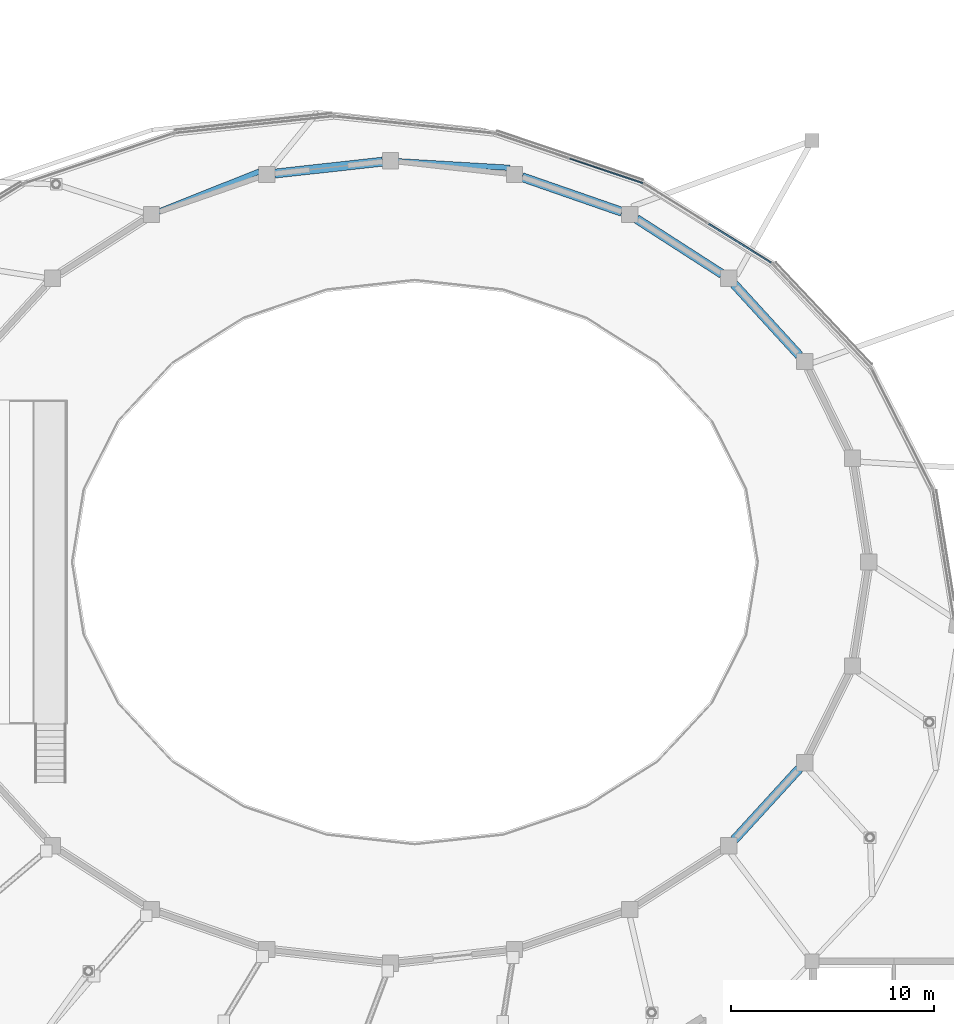
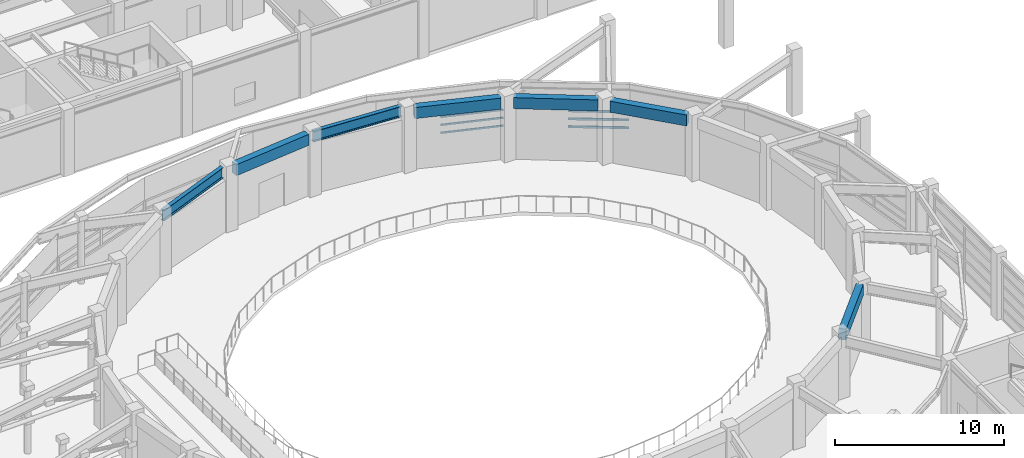
# One storey, part 17 of 58: 7 beams, 6 members, 2 elements without a shape of their own.
"""IFC4 building model written with IfcOpenShell, lengths in metres."""

from ifc_helpers import new_model, si_unit, direction, frame, origin, origin_2d, place, context, subcontext, project, spatial, rectangle, i_section, extrude, material, material_profile, profile_set, type_object, element, aggregate, save


model = new_model("IFC4")

# Units and contexts
model_context = context("Model", 3, precision=1e-05, world=origin(), true_north=direction((0.0, 1.0)))
body_context = subcontext(model_context, "Body", "Model", "MODEL_VIEW")
ifc_project = project(units=[si_unit("LENGTHUNIT", "METRE"), si_unit("AREAUNIT", "SQUARE_METRE"), si_unit("VOLUMEUNIT", "CUBIC_METRE"), si_unit("PLANEANGLEUNIT", "RADIAN"), si_unit("MASSUNIT", "GRAM", prefix="KILO")], contexts=[model_context])

# Site, building, storey
site_placement = place(None, origin())
site = spatial("IfcSite", under=ifc_project, at=site_placement, CompositionType="ELEMENT")
building_placement = place(site_placement, origin())
building = spatial("IfcBuilding", under=site, at=building_placement, Name="Parian Resonance Hall", CompositionType="ELEMENT")
storey_placement = place(building_placement, frame((0.0, 0.0, 10.199951171875)))
storey = spatial("IfcBuildingStorey", under=building, at=storey_placement, Name="L02", CompositionType="ELEMENT", Elevation=10.199951171875)

# Beams
ifc_material_1 = material(Name="Concrete C40/50", Category="concrete")
ifc_material_profile_1 = material_profile(ifc_material_1, rectangle(XDim=0.449951171875, YDim=0.800048828125, at=origin_2d()), Name="RC-BM-450x800")
ifc_profile_set_1 = profile_set([ifc_material_profile_1], Name="Concrete C40/50")
beam_type_1 = type_object("IfcBeamType", Name="BM-RC450x800", PredefinedType="USERDEFINED", material=ifc_profile_set_1)
beam_1_placement = place(storey_placement, frame((64.168212890625, 54.1953125, 4.130126953125), z_axis=(-0.674892190981, 0.737916343872, 0.0), x_axis=(-0.737916343872, -0.674892190981, 0.0)))
element("IfcBeam", 1, at=beam_1_placement, inside=storey, type_object=beam_type_1, Name="Concert hall drum ring beam L02-03", ObjectType="GIRDER", PredefinedType="USERDEFINED", context=body_context, shape_type="SweptSolid", body=[
    extrude(rectangle(XDim=0.449951171875, YDim=0.800048828125, at=origin_2d()), origin(), (0.0, 0.0, 1.0), 4.757080078125),
])
beam_2_placement = place(storey_placement, frame((60.351318359375, 58.21728515625, 4.130126953125), z_axis=(-0.840822266108, 0.541311293819, 0.0), x_axis=(-0.541311293819, -0.840822266108, 0.0)))
element("IfcBeam", 2, at=beam_2_placement, inside=storey, type_object=beam_type_1, Name="Concert hall drum ring beam L02-04", ObjectType="GIRDER", PredefinedType="USERDEFINED", context=body_context, shape_type="SweptSolid", body=[
    extrude(rectangle(XDim=0.449951171875, YDim=0.800048828125, at=origin_2d()), origin(), (0.0, 0.0, 1.0), 5.012939453125),
])
beam_3_placement = place(storey_placement, frame((55.422119140625, 61.278564453125, 4.130126953125), z_axis=(-0.944593815742, 0.328241562362, 0.0), x_axis=(-0.328241562362, -0.944593815742, 0.0)))
element("IfcBeam", 3, at=beam_3_placement, inside=storey, type_object=beam_type_1, Name="Concert hall drum ring beam L02-05", ObjectType="GIRDER", PredefinedType="USERDEFINED", context=body_context, shape_type="SweptSolid", body=[
    extrude(rectangle(XDim=0.449951171875, YDim=0.800048828125, at=origin_2d()), origin(), (0.0, 0.0, 1.0), 5.225830078125),
])
beam_4_placement = place(storey_placement, frame((43.602294921875, 63.756103515625, 4.130126953125), z_axis=(-0.993953165009, -0.109804853117, 0.0), x_axis=(0.109804853117, -0.993953165009, 0.0)))
element("IfcBeam", 4, at=beam_4_placement, inside=storey, type_object=beam_type_1, Name="Concert hall drum ring beam L02-07", ObjectType="GIRDER", PredefinedType="USERDEFINED", context=body_context, shape_type="SweptSolid", body=[
    extrude(rectangle(XDim=0.449951171875, YDim=0.800048828125, at=origin_2d()), origin(), (0.0, 0.0, 1.0), 5.344970703125),
])
beam_5_placement = place(storey_placement, frame((60.957763671875, 30.29443359375, 4.130126953125), z_axis=(0.674892190981, 0.737916343872, 0.0), x_axis=(-0.737916343872, 0.674892190981, 0.0)))
element("IfcBeam", 5, at=beam_5_placement, inside=storey, type_object=beam_type_1, Name="Concert hall drum ring beam L02-22", ObjectType="GIRDER", PredefinedType="USERDEFINED", context=body_context, shape_type="SweptSolid", body=[
    extrude(rectangle(XDim=0.449951171875, YDim=0.800048828125, at=origin_2d()), origin(), (0.0, 0.0, 1.0), 4.757080078125),
])
ifc_material_2 = material(Name="Steel S355", Category="steel")
ifc_material_profile_2 = material_profile(ifc_material_2, i_section(OverallWidth=0.26806640625, OverallDepth=0.77001953125, WebThickness=0.015625, FlangeThickness=0.025390625, FilletRadius=0.020263671875, at=origin_2d()), Name="W760x196")
ifc_profile_set_2 = profile_set([ifc_material_profile_2], Name="Steel S355")
beam_type_2 = type_object("IfcBeamType", Name="CG3 W760x196", PredefinedType="USERDEFINED", material=ifc_profile_set_2)
beam_6_placement = place(storey_placement, frame((49.87939453125, 63.45361328125, 4.114990234375), z_axis=(-0.998268507622, 0.058821651537, 0.0), x_axis=(-0.058821651537, -0.998268507622, 0.0)))
element("IfcBeam", 6, at=beam_6_placement, inside=storey, type_object=beam_type_2, Name="Radial spine girder R3-06", ObjectType="GIRDER", PredefinedType="USERDEFINED", context=body_context, shape_type="SweptSolid", body=[
    extrude(i_section(OverallWidth=0.26806640625, OverallDepth=0.77001953125, WebThickness=0.015625, FlangeThickness=0.025390625, FilletRadius=0.020263671875, at=origin_2d()), origin(), (0.0, 0.0, 1.0), 5.8896484375),
])
beam_7_placement = place(storey_placement, frame((37.518798828125, 63.269775390625, 4.114990234375), z_axis=(-0.928937653121, -0.370236190308, 0.0), x_axis=(0.370236190308, -0.928937653121, 0.0)))
element("IfcBeam", 7, at=beam_7_placement, inside=storey, type_object=beam_type_2, Name="Radial spine girder R3-08", ObjectType="GIRDER", PredefinedType="USERDEFINED", context=body_context, shape_type="SweptSolid", body=[
    extrude(i_section(OverallWidth=0.26806640625, OverallDepth=0.77001953125, WebThickness=0.015625, FlangeThickness=0.025390625, FilletRadius=0.020263671875, at=origin_2d()), origin(), (0.0, 0.0, 1.0), 5.725830078125),
])

# Curtain wall, members
ifc_material_3 = material(Name="Bronze-anodised aluminium frame", Category="aluminium")
curtain_wall_type_1 = type_object("IfcCurtainWallType", Name="CW-SYS-06", PredefinedType="NOTDEFINED", material=ifc_material_3)
curtain_wall_1_placement = place(storey_placement, origin())
curtain_wall_1 = element("IfcCurtainWall", 8, at=curtain_wall_1_placement, inside=storey, type_object=curtain_wall_type_1, Name="Elliptical R2 recessed strip curtain wall 05", PredefinedType="NOTDEFINED")
ifc_material_4 = material(Name="Bronze-anodised aluminium frame", Category="aluminium")
ifc_material_profile_3 = material_profile(ifc_material_4, rectangle(XDim=0.06494140625, YDim=0.1201171875, at=origin_2d()), Name="CWT-65x120")
ifc_profile_set_3 = profile_set([ifc_material_profile_3], Name="Bronze-anodised aluminium frame")
member_type_1 = type_object("IfcMemberType", Name="CWT-65x120", PredefinedType="USERDEFINED", material=ifc_profile_set_3)
member_1_placement = place(storey_placement, frame((52.8408203125, 63.90576171875, 1.174560546875), z_axis=(0.948005641054, -0.318253522414, 0.0), x_axis=(0.318253522414, 0.948005641054, 0.0)))
member_1 = element("IfcMember", 9, at=member_1_placement, type_object=member_type_1, Name="CW-06 transom 2.1", ObjectType="TRANSOM", PredefinedType="USERDEFINED", context=body_context, shape_type="SweptSolid", body=[
    extrude(rectangle(XDim=0.06494140625, YDim=0.1201171875, at=origin_2d()), origin(), (0.0, 0.0, 1.0), 3.794921875),
])
member_2_placement = place(storey_placement, frame((52.8408203125, 63.90576171875, 1.75), z_axis=(0.948005641054, -0.318253522414, 0.0), x_axis=(0.318253522414, 0.948005641054, 0.0)))
member_2 = element("IfcMember", 10, at=member_2_placement, type_object=member_type_1, Name="CW-06 transom 2.2", ObjectType="TRANSOM", PredefinedType="USERDEFINED", context=body_context, shape_type="SweptSolid", body=[
    extrude(rectangle(XDim=0.06494140625, YDim=0.1201171875, at=origin_2d()), origin(), (0.0, 0.0, 1.0), 3.794921875),
])
member_3_placement = place(storey_placement, frame((52.8408203125, 63.90576171875, 2.32763671875), z_axis=(0.948005641054, -0.318253522414, 0.0), x_axis=(0.318253522414, 0.948005641054, 0.0)))
member_3 = element("IfcMember", 11, at=member_3_placement, type_object=member_type_1, Name="CW-06 transom 2.3", ObjectType="TRANSOM", PredefinedType="USERDEFINED", context=body_context, shape_type="SweptSolid", body=[
    extrude(rectangle(XDim=0.06494140625, YDim=0.1201171875, at=origin_2d()), origin(), (0.0, 0.0, 1.0), 3.794921875),
])
aggregate(curtain_wall_1, [member_1, member_2, member_3])

ifc_material_5 = material(Name="Bronze-anodised aluminium frame", Category="aluminium")
curtain_wall_type_2 = type_object("IfcCurtainWallType", Name="CW-SYS-05", PredefinedType="NOTDEFINED", material=ifc_material_5)
curtain_wall_2_placement = place(storey_placement, origin())
curtain_wall_2 = element("IfcCurtainWall", 12, at=curtain_wall_2_placement, inside=storey, type_object=curtain_wall_type_2, Name="Elliptical R2 recessed strip curtain wall 04", PredefinedType="NOTDEFINED")
ifc_material_6 = material(Name="Bronze-anodised aluminium frame", Category="aluminium")
ifc_material_profile_4 = material_profile(ifc_material_6, rectangle(XDim=0.074951171875, YDim=0.14990234375, at=origin_2d()), Name="CWT-75x150")
ifc_profile_set_4 = profile_set([ifc_material_profile_4], Name="Bronze-anodised aluminium frame")
member_type_2 = type_object("IfcMemberType", Name="CWT-75x150", PredefinedType="USERDEFINED", material=ifc_profile_set_4)
member_4_placement = place(storey_placement, frame((59.70068359375, 60.68701171875, 1.179443359375), z_axis=(0.849193753798, -0.528081403299, 0.0), x_axis=(0.528081403299, 0.849193753798, 0.0)))
member_4 = element("IfcMember", 13, at=member_4_placement, type_object=member_type_2, Name="CW-05 transom 2.1", ObjectType="TRANSOM", PredefinedType="USERDEFINED", context=body_context, shape_type="SweptSolid", body=[
    extrude(rectangle(XDim=0.074951171875, YDim=0.14990234375, at=origin_2d()), origin(), (0.0, 0.0, 1.0), 3.618896484375),
])
member_5_placement = place(storey_placement, frame((59.70068359375, 60.68701171875, 1.75), z_axis=(0.849193753798, -0.528081403299, 0.0), x_axis=(0.528081403299, 0.849193753798, 0.0)))
member_5 = element("IfcMember", 14, at=member_5_placement, type_object=member_type_2, Name="CW-05 transom 2.2", ObjectType="TRANSOM", PredefinedType="USERDEFINED", context=body_context, shape_type="SweptSolid", body=[
    extrude(rectangle(XDim=0.074951171875, YDim=0.14990234375, at=origin_2d()), origin(), (0.0, 0.0, 1.0), 3.618896484375),
])
member_6_placement = place(storey_placement, frame((59.70068359375, 60.68701171875, 2.322509765625), z_axis=(0.849193753798, -0.528081403299, 0.0), x_axis=(0.528081403299, 0.849193753798, 0.0)))
member_6 = element("IfcMember", 15, at=member_6_placement, type_object=member_type_2, Name="CW-05 transom 2.3", ObjectType="TRANSOM", PredefinedType="USERDEFINED", context=body_context, shape_type="SweptSolid", body=[
    extrude(rectangle(XDim=0.074951171875, YDim=0.14990234375, at=origin_2d()), origin(), (0.0, 0.0, 1.0), 3.618896484375),
])
aggregate(curtain_wall_2, [member_4, member_5, member_6])

save(model, "model.ifc")
